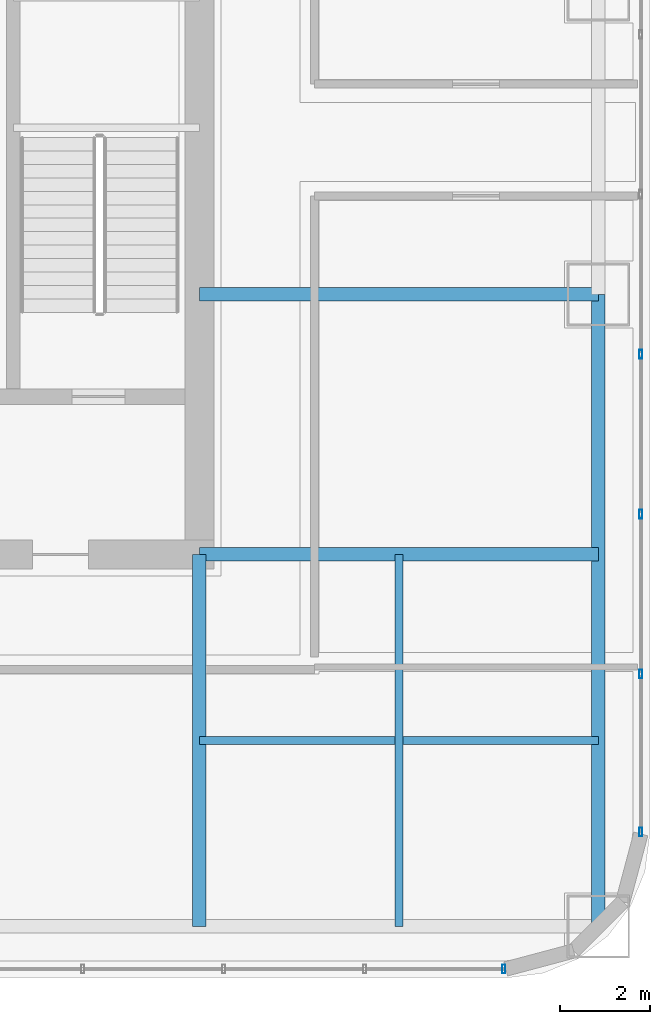
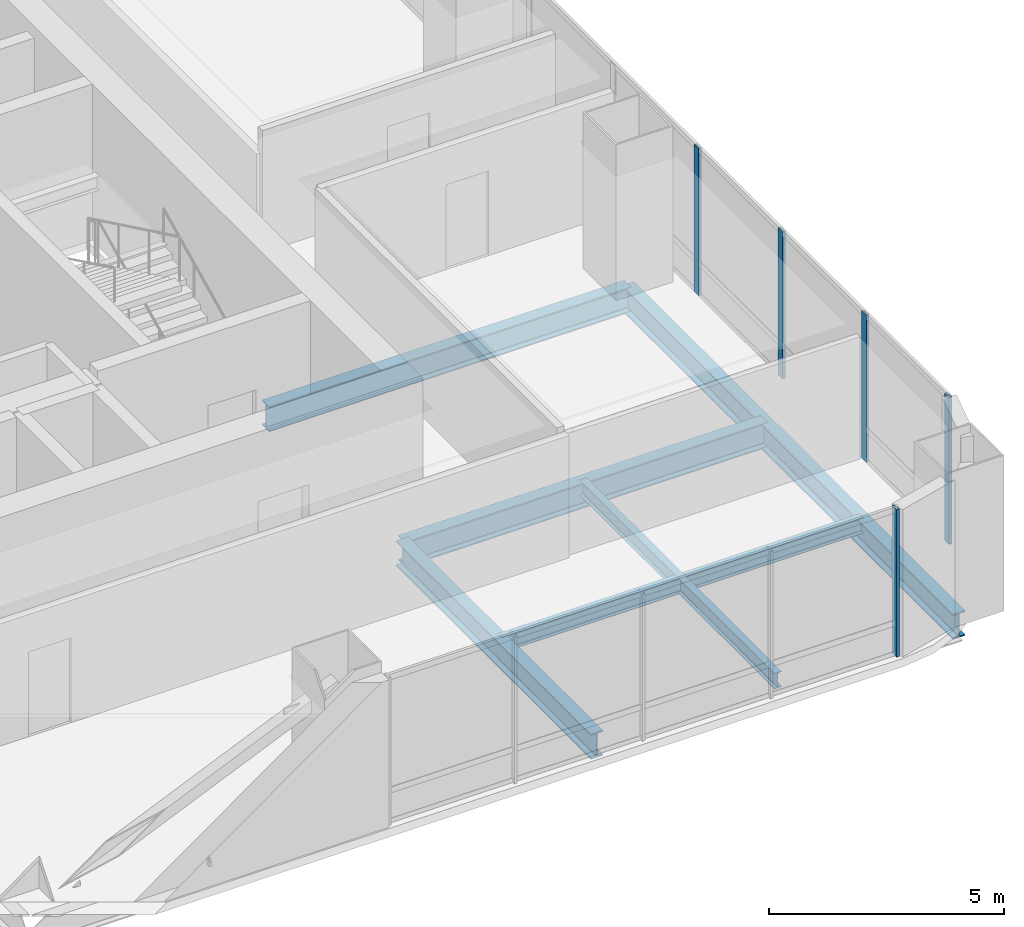
# One storey, part 15 of 38: 6 beams, 5 members, 2 elements without a shape of their own.
"""IFC4 building model written with IfcOpenShell, lengths in metres."""

from ifc_helpers import new_model, si_unit, direction, frame, origin, origin_2d, place, context, subcontext, project, spatial, hollow_rectangle, i_section, extrude, material, material_profile, profile_set, type_object, element, aggregate, save


model = new_model("IFC4")

# Units and contexts
model_context = context("Model", 3, precision=1e-05, world=origin(), true_north=direction((0.0, 1.0)))
body_context = subcontext(model_context, "Body", "Model", "MODEL_VIEW")
ifc_project = project(units=[si_unit("LENGTHUNIT", "METRE"), si_unit("AREAUNIT", "SQUARE_METRE"), si_unit("VOLUMEUNIT", "CUBIC_METRE"), si_unit("PLANEANGLEUNIT", "RADIAN"), si_unit("MASSUNIT", "GRAM", prefix="KILO")], contexts=[model_context])

# Site, building, storey
site_placement = place(None, origin())
site = spatial("IfcSite", under=ifc_project, at=site_placement, CompositionType="ELEMENT")
building_placement = place(site_placement, origin())
building = spatial("IfcBuilding", under=site, at=building_placement, Name="Punatoya Terracotta Tower", CompositionType="ELEMENT")
storey_placement = place(building_placement, frame((0.0, 0.0, 156.0)))
storey = spatial("IfcBuildingStorey", under=building, at=storey_placement, Name="L36", CompositionType="ELEMENT", Elevation=156.0)

# Beams
ifc_material_1 = material(Name="Steel S355", Category="steel")
ifc_material_profile_1 = material_profile(ifc_material_1, i_section(OverallWidth=0.300048828125, OverallDepth=0.64990234375, WebThickness=0.01611328125, FlangeThickness=0.031005859375, FilletRadius=0.01806640625, at=origin_2d()))
ifc_profile_set_1 = profile_set([ifc_material_profile_1], Name="Steel S355")
beam_type_1 = type_object("IfcBeamType", Name="BM-PRI-650", PredefinedType="BEAM", material=ifc_profile_set_1)
beam_1_placement = place(storey_placement, frame((19.10009765625, -17.5, -0.544921875), z_axis=(0.0, 1.0, 0.0), x_axis=(-1.0, 0.0, 0.0)))
element("IfcBeam", 1, at=beam_1_placement, inside=storey, type_object=beam_type_1, Name="BM-L36-RG-E1", PredefinedType="BEAM", context=body_context, shape_type="SweptSolid", body=[
    extrude(i_section(OverallWidth=0.300048828125, OverallDepth=0.64990234375, WebThickness=0.01611328125, FlangeThickness=0.031005859375, FilletRadius=0.01806640625, at=origin_2d()), origin(), (0.0, 0.0, 1.0), 14.10009765625),
])
for number, where, z_axis, x_axis, name in (
    (2, (10.199951171875, -9.199951171875, -0.544921875), (1.0, 0.0, 0.0), (0.0, 1.0, 0.0), "BM-L36-PR-ES"),
    (3, (10.199951171875, -3.39990234375, -0.544921875), (1.0, 0.0, 0.0), (0.0, 1.0, 0.0), "BM-L36-PR-ED"),
):
    element("IfcBeam", number, at=place(storey_placement, frame(where, z_axis=z_axis, x_axis=x_axis)), inside=storey, type_object=beam_type_1, Name=name, PredefinedType="BEAM", context=body_context, shape_type="SweptSolid", body=[
        extrude(i_section(OverallWidth=0.300048828125, OverallDepth=0.64990234375, WebThickness=0.01611328125, FlangeThickness=0.031005859375, FilletRadius=0.01806640625, at=origin_2d()), origin(), (0.0, 0.0, 1.0), 8.900146484375),
    ])
beam_2_placement = place(storey_placement, frame((10.199951171875, -17.5, -0.544921875), z_axis=(0.0, 1.0, 0.0), x_axis=(-1.0, 0.0, 0.0)))
element("IfcBeam", 4, at=beam_2_placement, inside=storey, type_object=beam_type_1, Name="BM-L36-PR-S4", PredefinedType="BEAM", context=body_context, shape_type="SweptSolid", body=[
    extrude(i_section(OverallWidth=0.300048828125, OverallDepth=0.64990234375, WebThickness=0.01611328125, FlangeThickness=0.031005859375, FilletRadius=0.01806640625, at=origin_2d()), origin(), (0.0, 0.0, 1.0), 8.300048828125),
])
ifc_material_profile_2 = material_profile(ifc_material_1, i_section(OverallWidth=0.179931640625, OverallDepth=0.39990234375, WebThickness=0.008544921875, FlangeThickness=0.013427734375, FilletRadius=0.01806640625, at=origin_2d()))
ifc_profile_set_2 = profile_set([ifc_material_profile_2], Name="Steel S355")
beam_type_2 = type_object("IfcBeamType", Name="BM-SEC-400", PredefinedType="JOIST", material=ifc_profile_set_2)
beam_3_placement = place(storey_placement, frame((10.199951171875, -13.35009765625, -0.419921875), z_axis=(1.0, 0.0, 0.0), x_axis=(0.0, 1.0, 0.0)))
element("IfcBeam", 5, at=beam_3_placement, inside=storey, type_object=beam_type_2, Name="BM-L36-SJS-2", PredefinedType="JOIST", context=body_context, shape_type="SweptSolid", body=[
    extrude(i_section(OverallWidth=0.179931640625, OverallDepth=0.39990234375, WebThickness=0.008544921875, FlangeThickness=0.013427734375, FilletRadius=0.01806640625, at=origin_2d()), origin(), (0.0, 0.0, 1.0), 8.900146484375),
])
beam_4_placement = place(storey_placement, frame((14.64990234375, -17.5, -0.419921875), z_axis=(0.0, 1.0, 0.0), x_axis=(-1.0, 0.0, 0.0)))
element("IfcBeam", 6, at=beam_4_placement, inside=storey, type_object=beam_type_2, Name="BM-L36-SJE-1", PredefinedType="JOIST", context=body_context, shape_type="SweptSolid", body=[
    extrude(i_section(OverallWidth=0.179931640625, OverallDepth=0.39990234375, WebThickness=0.008544921875, FlangeThickness=0.013427734375, FilletRadius=0.01806640625, at=origin_2d()), origin(), (0.0, 0.0, 1.0), 8.300048828125),
])

# Curtain wall, member
ifc_material_2 = material(Name="Aluminium 6063-T6 + Double Low-E Glass", Category="aluminium")
curtain_wall_type = type_object("IfcCurtainWallType", Name="CW-M2", PredefinedType="NOTDEFINED", material=ifc_material_2)
curtain_wall_1_placement = place(storey_placement, origin())
curtain_wall_1 = element("IfcCurtainWall", 7, at=curtain_wall_1_placement, inside=storey, type_object=curtain_wall_type, Name="L36 Curtain Wall CW-L36-S01-2", PredefinedType="NOTDEFINED")
ifc_material_3 = material(Name="Aluminium 6063-T6", Category="aluminium")
ifc_material_profile_3 = material_profile(ifc_material_3, hollow_rectangle(XDim=0.072021484375, YDim=0.195068359375, WallThickness=0.00439453125, at=origin_2d()))
ifc_profile_set_3 = profile_set([ifc_material_profile_3], Name="Aluminium 6063-T6")
member_type = type_object("IfcMemberType", Name="CW-MUL-M2", PredefinedType="MULLION", material=ifc_profile_set_3)
member_1_placement = place(storey_placement, frame((16.991943359375, -18.449951171875, 0.0), z_axis=(0.0, 0.0, 1.0), x_axis=(1.0, 0.0, 0.0)))
member_1 = element("IfcMember", 8, at=member_1_placement, type_object=member_type, Name="CW-L36-S01-2 Mullion 04", PredefinedType="MULLION", context=body_context, shape_type="SweptSolid", body=[
    extrude(hollow_rectangle(XDim=0.072021484375, YDim=0.195068359375, WallThickness=0.00439453125, at=origin_2d()), origin(), (0.0, 0.0, 1.0), 3.830078125),
])
aggregate(curtain_wall_1, [member_1])

# Curtain wall, members
curtain_wall_2_placement = place(storey_placement, origin())
curtain_wall_2 = element("IfcCurtainWall", 9, at=curtain_wall_2_placement, inside=storey, type_object=curtain_wall_type, Name="L36 Curtain Wall CW-L36-E05-1", PredefinedType="NOTDEFINED")
member_2_placement = place(storey_placement, frame((20.050048828125, -15.391845703125, 0.0), z_axis=(0.0, 0.0, 1.0), x_axis=(1.0, 0.0, 0.0)))
member_2 = element("IfcMember", 10, at=member_2_placement, type_object=member_type, Name="CW-L36-E05-1 Mullion 00", PredefinedType="MULLION", context=body_context, shape_type="SweptSolid", body=[
    extrude(hollow_rectangle(XDim=0.072021484375, YDim=0.195068359375, WallThickness=0.00439453125, at=origin_2d()), origin(), (0.0, 0.0, 1.0), 3.830078125),
])
member_3_placement = place(storey_placement, frame((20.050048828125, -11.869384765625, 0.0), z_axis=(0.0, 0.0, 1.0), x_axis=(1.0, 0.0, 0.0)))
member_3 = element("IfcMember", 11, at=member_3_placement, type_object=member_type, Name="CW-L36-E05-1 Mullion 01", PredefinedType="MULLION", context=body_context, shape_type="SweptSolid", body=[
    extrude(hollow_rectangle(XDim=0.072021484375, YDim=0.195068359375, WallThickness=0.00439453125, at=origin_2d()), origin(), (0.0, 0.0, 1.0), 3.830078125),
])
member_4_placement = place(storey_placement, frame((20.050048828125, -8.302001953125, 0.0), z_axis=(0.0, 0.0, 1.0), x_axis=(1.0, 0.0, 0.0)))
member_4 = element("IfcMember", 12, at=member_4_placement, type_object=member_type, Name="CW-L36-E05-1 Mullion 02", PredefinedType="MULLION", context=body_context, shape_type="SweptSolid", body=[
    extrude(hollow_rectangle(XDim=0.072021484375, YDim=0.195068359375, WallThickness=0.00439453125, at=origin_2d()), origin(), (0.0, 0.0, 1.0), 3.830078125),
])
member_5_placement = place(storey_placement, frame((20.050048828125, -4.73486328125, 0.0), z_axis=(0.0, 0.0, 1.0), x_axis=(1.0, 0.0, 0.0)))
member_5 = element("IfcMember", 13, at=member_5_placement, type_object=member_type, Name="CW-L36-E05-1 Mullion 03", PredefinedType="MULLION", context=body_context, shape_type="SweptSolid", body=[
    extrude(hollow_rectangle(XDim=0.072021484375, YDim=0.195068359375, WallThickness=0.00439453125, at=origin_2d()), origin(), (0.0, 0.0, 1.0), 3.830078125),
])
aggregate(curtain_wall_2, [member_2, member_3, member_4, member_5])

save(model, "model.ifc")
